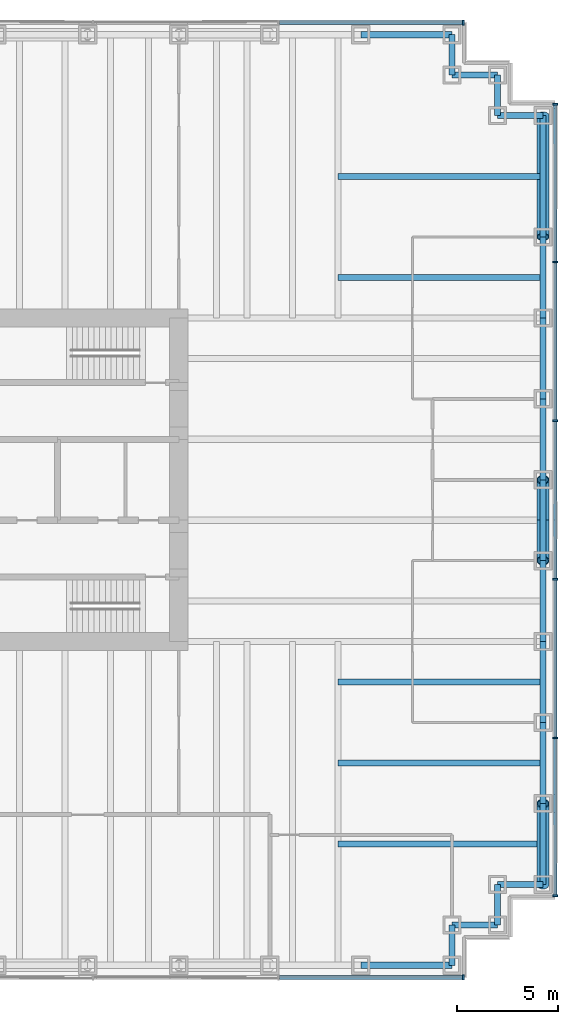
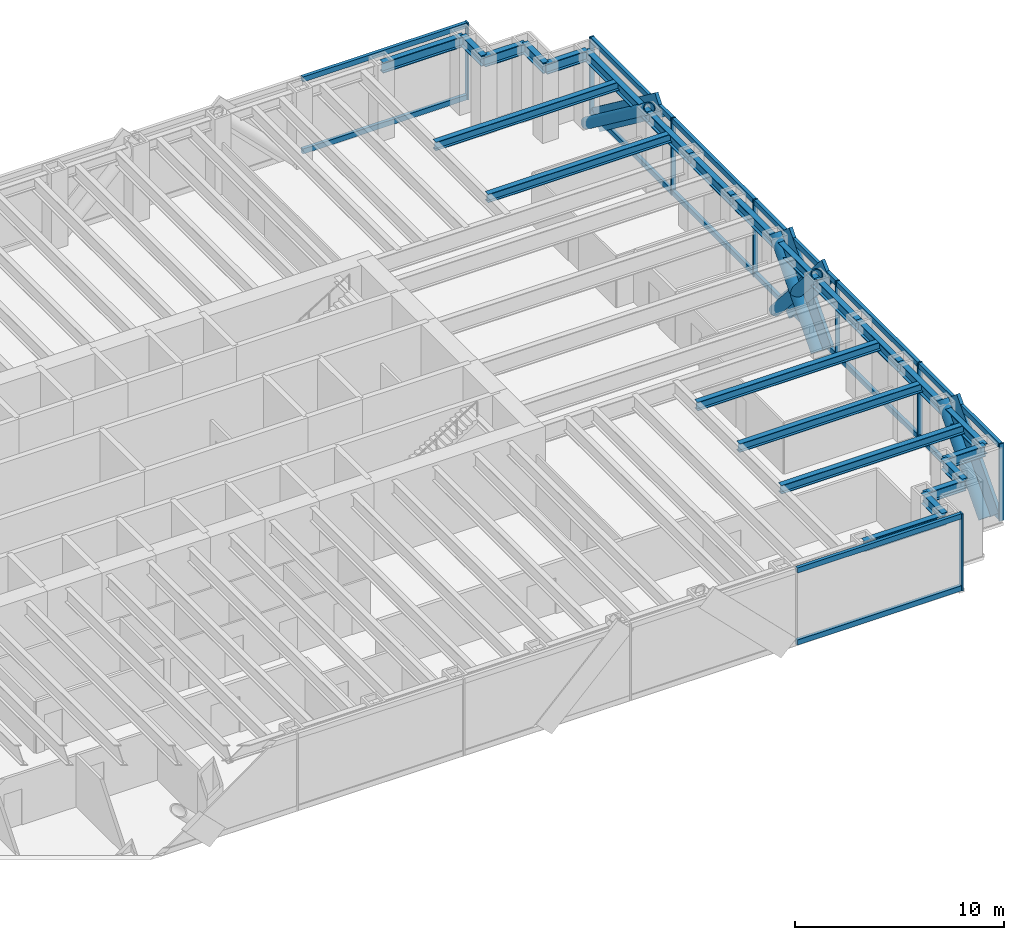
# One storey, part 7 of 13: 30 members, 24 beams, 3 elements without a shape of their own.
"""IFC4 building model written with IfcOpenShell, lengths in metres."""

import ifcopenshell
import ifcopenshell.guid

model = None  # the IFC model being written
_history = None  # IfcOwnerHistory: only IFC2X3 demands one
_inside = {}  # id of a spatial element -> (the spatial element, [elements in it])
_under = {}  # id of a project, library or spatial element -> (it, [spatial elements below it])
_declared = {}  # id of a project -> (the project, [libraries it declares])
_typed = {}  # id of a type object -> (the type object, [elements of that type])
_made_of = {}  # id of a material, layer set ... -> (it, [elements and type objects made of it])


def new_model(schema):
    """Start an empty IFC model of exactly this schema.

    Asked for "IFC4X3", IfcOpenShell would pick the latest addendum, in which some entities
    have other attributes; the version numbers below select the first issue.
    IFC2X3 requires an IfcOwnerHistory on every rooted entity: one is made here for all.
    """
    global model, _history
    if schema == "IFC4X3":
        model = ifcopenshell.file(schema_version=(4, 3, 0, 0))
    else:
        model = ifcopenshell.file(schema=schema)
    _inside.clear()
    _under.clear()
    _declared.clear()
    _typed.clear()
    _made_of.clear()
    _history = None
    if model.schema == "IFC2X3":
        org = make("IfcOrganization", Name="unknown")
        user = make(
            "IfcPersonAndOrganization",
            ThePerson=make("IfcPerson", FamilyName="unknown"),
            TheOrganization=org,
        )
        app = make(
            "IfcApplication",
            ApplicationDeveloper=org,
            Version="unknown",
            ApplicationFullName="unknown",
            ApplicationIdentifier="unknown",
        )
        _history = make(
            "IfcOwnerHistory",
            OwningUser=user,
            OwningApplication=app,
            ChangeAction="ADDED",
            CreationDate=0,
        )
    return model


def make(cls, **values):
    """One entity of the class cls with the attributes given. An attribute that is None is left unset."""
    return model.create_entity(
        cls, **{name: value for name, value in values.items() if value is not None}
    )


def rooted(cls, **values):
    """An entity with a GlobalId (a new one), such as an element, a storey or a relation."""
    return make(cls, GlobalId=ifcopenshell.guid.new(), OwnerHistory=_history, **values)


def si_unit(unit_type, name, prefix=None):
    """IfcSIUnit, for example si_unit("LENGTHUNIT", "METRE", prefix="MILLI")."""
    return make("IfcSIUnit", UnitType=unit_type, Prefix=prefix, Name=name)


def assignment(units):
    """IfcUnitAssignment: the units of a project."""
    return None if units is None else make("IfcUnitAssignment", Units=units)


def point(xyz):
    """IfcCartesianPoint."""
    return None if xyz is None else make("IfcCartesianPoint", Coordinates=xyz)


def direction(xyz):
    """IfcDirection."""
    return None if xyz is None else make("IfcDirection", DirectionRatios=xyz)


def frame(location, z_axis=None, x_axis=None):
    """IfcAxis2Placement3D, a coordinate frame: its origin and axes. An axis left out is left unset."""
    return make(
        "IfcAxis2Placement3D",
        Location=point(location),
        Axis=direction(z_axis),
        RefDirection=direction(x_axis),
    )


def frame_2d(location, x_axis=None):
    """IfcAxis2Placement2D, a coordinate frame in the plane: its origin and x axis."""
    return make(
        "IfcAxis2Placement2D", Location=point(location), RefDirection=direction(x_axis)
    )


def origin():
    """The frame at (0, 0, 0) with its axes left unset."""
    return frame((0.0, 0.0, 0.0))


def origin_2d():
    """The frame at (0, 0) in the plane with its x axis left unset."""
    return frame_2d((0.0, 0.0))


def place(relative_to, where):
    """IfcLocalPlacement: puts the frame where relative to a parent placement (None: the world)."""
    return make(
        "IfcLocalPlacement", PlacementRelTo=relative_to, RelativePlacement=where
    )


def context(
    kind, dimensions, precision=None, world=None, true_north=None, identifier=None
):
    """IfcGeometricRepresentationContext, for example the 3D "Model" context."""
    return make(
        "IfcGeometricRepresentationContext",
        ContextIdentifier=identifier,
        ContextType=kind,
        CoordinateSpaceDimension=dimensions,
        Precision=precision,
        WorldCoordinateSystem=world,
        TrueNorth=true_north,
    )


def subcontext(parent, identifier, kind, view, scale=None):
    """IfcGeometricRepresentationSubContext, for example "Body" below "Model"."""
    return make(
        "IfcGeometricRepresentationSubContext",
        ContextIdentifier=identifier,
        ContextType=kind,
        ParentContext=parent,
        TargetScale=scale,
        TargetView=view,
    )


def project(units=None, contexts=None):
    """IfcProject with its units and contexts."""
    return rooted(
        "IfcProject",
        Name="project",
        RepresentationContexts=contexts,
        UnitsInContext=assignment(units),
    )


def spatial(cls, under=None, at=None, **own):
    """A site, building, storey or space (cls), placed at a placement, below another one or the project."""
    s = rooted(cls, ObjectPlacement=at, **own)
    if under is not None:
        _under.setdefault(under.id(), (under, []))[1].append(s)
    return s


def profile(cls, at=None, kind="AREA", **sizes):
    """A parametric profile (cls). Its sizes go by their IFC names, for example OverallWidth=200.0."""
    return make(cls, ProfileType=kind, Position=at, **sizes)


def rectangle(**sizes):
    """IfcRectangleProfileDef."""
    return profile("IfcRectangleProfileDef", **sizes)


def hollow_circle(**sizes):
    """IfcCircleHollowProfileDef."""
    return profile("IfcCircleHollowProfileDef", **sizes)


def i_section(**sizes):
    """IfcIShapeProfileDef."""
    return profile("IfcIShapeProfileDef", **sizes)


def extrude(swept, where, along, depth):
    """IfcExtrudedAreaSolid: the profile swept, set in the frame where, extruded along a direction by depth."""
    return make(
        "IfcExtrudedAreaSolid",
        SweptArea=swept,
        Position=where,
        ExtrudedDirection=direction(along),
        Depth=depth,
    )


def shape(context_of_items, identifier, shape_type, items):
    """IfcShapeRepresentation: the items that make up one representation, for example the "Body"."""
    return make(
        "IfcShapeRepresentation",
        ContextOfItems=context_of_items,
        RepresentationIdentifier=identifier,
        RepresentationType=shape_type,
        Items=items,
    )


def material(Name=None, Category=None):
    """IfcMaterial."""
    return make("IfcMaterial", Name=Name, Category=Category)


def material_profile(
    of_material, cross_section, Name=None, Category=None, Priority=None
):
    """IfcMaterialProfile: a cross section and its material."""
    return make(
        "IfcMaterialProfile",
        Name=Name,
        Material=of_material,
        Profile=cross_section,
        Priority=Priority,
        Category=Category,
    )


def profile_set(profiles, Name=None, composite=None):
    """IfcMaterialProfileSet."""
    return make(
        "IfcMaterialProfileSet",
        Name=Name,
        MaterialProfiles=profiles,
        CompositeProfile=composite,
    )


def made_of(thing, what):
    """Note that an element or type object is made of a material, layer set ...; save() writes the relation."""
    if what is not None:
        _made_of.setdefault(what.id(), (what, []))[1].append(thing)
    return thing


def type_object(cls, material=None, **own):
    """A type object (cls), such as IfcWallType, which elements share."""
    return made_of(rooted(cls, **own), material)


def element(
    cls,
    number,
    at=None,
    inside=None,
    cuts=None,
    type_object=None,
    material=None,
    context=None,
    identifier="Body",
    shape_type=None,
    held_by="IfcProductDefinitionShape",
    body=None,
    shapes=None,
    **own,
):
    """One element of the class cls, such as IfcWall. Its Tag is "e" and its number.

    at: its placement. inside: the storey or other place that contains it. cuts: it is an
    opening in that element (IfcRelVoidsElement). A single representation is given by context,
    identifier, shape_type and body (its items); several are given by shapes. held_by: the class
    of the entity that holds the representations. save() writes the other relations.
    """
    e = rooted(cls, Tag="e%d" % number, ObjectPlacement=at, **own)
    if body is not None:
        shapes = [shape(context, identifier, shape_type, body)]
    if shapes is not None:
        e.Representation = make(held_by, Representations=shapes)
    if inside is not None:
        _inside.setdefault(inside.id(), (inside, []))[1].append(e)
    if cuts is not None:
        rooted(
            "IfcRelVoidsElement", RelatingBuildingElement=cuts, RelatedOpeningElement=e
        )
    if type_object is not None:
        _typed.setdefault(type_object.id(), (type_object, []))[1].append(e)
    return made_of(e, material)


def aggregate(whole, parts):
    """IfcRelAggregates: a whole, such as a stair, and the parts it consists of."""
    return rooted("IfcRelAggregates", RelatingObject=whole, RelatedObjects=parts)


def save(model, path):
    """Write the relations noted so far, then the file.

    IfcRelAggregates (storeys below a building ...), IfcRelContainedInSpatialStructure (elements
    in a storey), IfcRelDefinesByType, IfcRelAssociatesMaterial and IfcRelDeclares: one each for
    every whole, place, type object, material and project.
    """
    for whole, parts in _under.values():
        aggregate(whole, parts)
    for where, things in _inside.values():
        rooted(
            "IfcRelContainedInSpatialStructure",
            RelatedElements=things,
            RelatingStructure=where,
        )
    for kind, things in _typed.values():
        rooted("IfcRelDefinesByType", RelatedObjects=things, RelatingType=kind)
    for what, things in _made_of.values():
        rooted("IfcRelAssociatesMaterial", RelatedObjects=things, RelatingMaterial=what)
    for by, libraries in _declared.values():
        rooted("IfcRelDeclares", RelatingContext=by, RelatedDefinitions=libraries)
    model.write(path)


model = new_model("IFC4")

# Units and contexts
model_context = context("Model", 3, precision=1e-05, world=origin(), true_north=direction((0.0, 1.0)))
body_context = subcontext(model_context, "Body", "Model", "MODEL_VIEW")
ifc_project = project(units=[si_unit("LENGTHUNIT", "METRE"), si_unit("AREAUNIT", "SQUARE_METRE"), si_unit("VOLUMEUNIT", "CUBIC_METRE"), si_unit("PLANEANGLEUNIT", "RADIAN"), si_unit("MASSUNIT", "GRAM", prefix="KILO")], contexts=[model_context])

# Site, building, storey
site_placement = place(None, origin())
site = spatial("IfcSite", under=ifc_project, at=site_placement, CompositionType="ELEMENT")
building_placement = place(site_placement, origin())
building = spatial("IfcBuilding", under=site, at=building_placement, Name="Rheinbord Bourse Tower", CompositionType="ELEMENT")
storey_placement = place(building_placement, frame((0.0, 0.0, 41.0)))
storey = spatial("IfcBuildingStorey", under=building, at=storey_placement, Name="L08", CompositionType="ELEMENT", Elevation=41.0)

# Curtain wall, members
ifc_material_1 = material(Name="Dark glass and black aluminium", Category="aluminium")
curtain_wall_type = type_object("IfcCurtainWallType", Name="CW1 DARK GLASS CURTAIN WALL", PredefinedType="USERDEFINED", material=ifc_material_1)
curtain_wall_1_placement = place(storey_placement, origin())
curtain_wall_1 = element("IfcCurtainWall", 1, at=curtain_wall_1_placement, inside=storey, type_object=curtain_wall_type, Name="Curtain wall CW1 E L08", ObjectType="UNITISED CURTAIN WALL", PredefinedType="USERDEFINED")
ifc_material_2 = material(Name="Black anodised aluminium", Category="aluminium")
ifc_material_profile_1 = material_profile(ifc_material_2, rectangle(XDim=0.179931640625, YDim=1.2099609375, at=origin_2d()), Name="CW1 DIAGONAL MULLION 1210x180")
ifc_profile_set_1 = profile_set([ifc_material_profile_1], Name="Black anodised aluminium")
member_type_1 = type_object("IfcMemberType", Name="CW1 BLACK DIAGONAL MULLION", PredefinedType="USERDEFINED", material=ifc_profile_set_1)
member_1_placement = place(storey_placement, frame((72.60009765625, 42.0, 0.0), z_axis=(0.0, -0.8, 0.6), x_axis=(1.0, 0.0, 0.0)))
member_1 = element("IfcMember", 2, at=member_1_placement, type_object=member_type_1, Name="CW1 diagonal mullion a", ObjectType="DIAGONAL MULLION", PredefinedType="USERDEFINED", context=body_context, shape_type="SweptSolid", body=[
    extrude(rectangle(XDim=0.179931640625, YDim=1.2099609375, at=origin_2d()), origin(), (0.0, 0.0, 1.0), 7.5),
])
member_2_placement = place(storey_placement, frame((72.60009765625, 4.0, 0.0), z_axis=(0.0, 0.66436383883, 0.747409318684), x_axis=(-1.0, 0.0, 0.0)))
member_2 = element("IfcMember", 3, at=member_2_placement, type_object=member_type_1, Name="CW1 diagonal mullion b", ObjectType="DIAGONAL MULLION", PredefinedType="USERDEFINED", context=body_context, shape_type="SweptSolid", body=[
    extrude(rectangle(XDim=0.179931640625, YDim=1.2099609375, at=origin_2d()), origin(), (0.0, 0.0, 1.0), 6.020751953125),
])
member_3_placement = place(storey_placement, frame((72.60009765625, 24.0, 0.0), z_axis=(0.0, -0.66436383883, 0.747409318684), x_axis=(1.0, 0.0, 0.0)))
member_3 = element("IfcMember", 4, at=member_3_placement, type_object=member_type_1, Name="CW1 diagonal mullion c", ObjectType="DIAGONAL MULLION", PredefinedType="USERDEFINED", context=body_context, shape_type="SweptSolid", body=[
    extrude(rectangle(XDim=0.179931640625, YDim=1.2099609375, at=origin_2d()), origin(), (0.0, 0.0, 1.0), 6.020751953125),
])
member_4_placement = place(storey_placement, frame((72.60009765625, 20.0, 0.0), z_axis=(0.0, 0.66436383883, 0.747409318684), x_axis=(-1.0, 0.0, 0.0)))
member_4 = element("IfcMember", 5, at=member_4_placement, type_object=member_type_1, Name="CW1 diagonal mullion d", ObjectType="DIAGONAL MULLION", PredefinedType="USERDEFINED", context=body_context, shape_type="SweptSolid", body=[
    extrude(rectangle(XDim=0.179931640625, YDim=1.2099609375, at=origin_2d()), origin(), (0.0, 0.0, 1.0), 6.020751953125),
])

# Curtain wall, member
curtain_wall_2_placement = place(storey_placement, origin())
curtain_wall_2 = element("IfcCurtainWall", 6, at=curtain_wall_2_placement, inside=storey, type_object=curtain_wall_type, Name="Curtain wall CW1 S L08", ObjectType="UNITISED CURTAIN WALL", PredefinedType="USERDEFINED")
ifc_material_3 = material(Name="Black anodised aluminium", Category="aluminium")
ifc_material_profile_2 = material_profile(ifc_material_3, rectangle(XDim=0.25, YDim=0.080078125, at=origin_2d()), Name="CW1 MULLION 80x250")
ifc_profile_set_2 = profile_set([ifc_material_profile_2], Name="Black anodised aluminium")
member_type_2 = type_object("IfcMemberType", Name="CW1 BLACK MULLION", PredefinedType="MULLION", material=ifc_profile_set_2)
member_5_placement = place(storey_placement, frame((68.06005859375, -0.60009765625, 0.0), z_axis=(0.0, 0.0, 1.0), x_axis=(0.0, 1.0, 0.0)))
member_5 = element("IfcMember", 7, at=member_5_placement, type_object=member_type_2, Name="CW1 mullion 8", PredefinedType="MULLION", context=body_context, shape_type="SweptSolid", body=[
    extrude(rectangle(XDim=0.25, YDim=0.080078125, at=origin_2d()), origin(), (0.0, 0.0, 1.0), 4.5),
])

# Member
member_6_placement = place(storey_placement, frame((72.60009765625, 3.43994140625, 0.0), z_axis=(0.0, 0.0, 1.0), x_axis=(-1.0, 0.0, 0.0)))
member_6 = element("IfcMember", 8, at=member_6_placement, type_object=member_type_2, Name="CW1 mullion 1", PredefinedType="MULLION", context=body_context, shape_type="SweptSolid", body=[
    extrude(rectangle(XDim=0.25, YDim=0.080078125, at=origin_2d()), origin(), (0.0, 0.0, 1.0), 4.5),
])

member_7_placement = place(storey_placement, frame((72.60009765625, 11.239990234375, 0.0), z_axis=(0.0, 0.0, 1.0), x_axis=(-1.0, 0.0, 0.0)))
member_7 = element("IfcMember", 9, at=member_7_placement, type_object=member_type_2, Name="CW1 mullion 2", PredefinedType="MULLION", context=body_context, shape_type="SweptSolid", body=[
    extrude(rectangle(XDim=0.25, YDim=0.080078125, at=origin_2d()), origin(), (0.0, 0.0, 1.0), 4.5),
])

member_8_placement = place(storey_placement, frame((72.60009765625, 19.080078125, 0.0), z_axis=(0.0, 0.0, 1.0), x_axis=(-1.0, 0.0, 0.0)))
member_8 = element("IfcMember", 10, at=member_8_placement, type_object=member_type_2, Name="CW1 mullion 3", PredefinedType="MULLION", context=body_context, shape_type="SweptSolid", body=[
    extrude(rectangle(XDim=0.25, YDim=0.080078125, at=origin_2d()), origin(), (0.0, 0.0, 1.0), 4.5),
])

member_9_placement = place(storey_placement, frame((72.60009765625, 26.919921875, 0.0), z_axis=(0.0, 0.0, 1.0), x_axis=(-1.0, 0.0, 0.0)))
member_9 = element("IfcMember", 11, at=member_9_placement, type_object=member_type_2, Name="CW1 mullion 4", PredefinedType="MULLION", context=body_context, shape_type="SweptSolid", body=[
    extrude(rectangle(XDim=0.25, YDim=0.080078125, at=origin_2d()), origin(), (0.0, 0.0, 1.0), 4.5),
])

member_10_placement = place(storey_placement, frame((72.60009765625, 34.760009765625, 0.0), z_axis=(0.0, 0.0, 1.0), x_axis=(-1.0, 0.0, 0.0)))
member_10 = element("IfcMember", 12, at=member_10_placement, type_object=member_type_2, Name="CW1 mullion 5", PredefinedType="MULLION", context=body_context, shape_type="SweptSolid", body=[
    extrude(rectangle(XDim=0.25, YDim=0.080078125, at=origin_2d()), origin(), (0.0, 0.0, 1.0), 4.5),
])

member_11_placement = place(storey_placement, frame((72.60009765625, 42.56005859375, 0.0), z_axis=(0.0, 0.0, 1.0), x_axis=(-1.0, 0.0, 0.0)))
member_11 = element("IfcMember", 13, at=member_11_placement, type_object=member_type_2, Name="CW1 mullion 6", PredefinedType="MULLION", context=body_context, shape_type="SweptSolid", body=[
    extrude(rectangle(XDim=0.25, YDim=0.080078125, at=origin_2d()), origin(), (0.0, 0.0, 1.0), 4.5),
])

# Curtain wall, member
curtain_wall_3_placement = place(storey_placement, origin())
curtain_wall_3 = element("IfcCurtainWall", 14, at=curtain_wall_3_placement, inside=storey, type_object=curtain_wall_type, Name="Curtain wall CW1 N L08", ObjectType="UNITISED CURTAIN WALL", PredefinedType="USERDEFINED")
member_12_placement = place(storey_placement, frame((68.06005859375, 46.60009765625, 0.0), z_axis=(0.0, 0.0, 1.0), x_axis=(0.0, -1.0, 0.0)))
member_12 = element("IfcMember", 15, at=member_12_placement, type_object=member_type_2, Name="CW1 mullion 1", PredefinedType="MULLION", context=body_context, shape_type="SweptSolid", body=[
    extrude(rectangle(XDim=0.25, YDim=0.080078125, at=origin_2d()), origin(), (0.0, 0.0, 1.0), 4.5),
])

# Member
ifc_material_4 = material(Name="Black anodised aluminium", Category="aluminium")
ifc_material_profile_3 = material_profile(ifc_material_4, rectangle(XDim=0.179931640625, YDim=0.300048828125, at=origin_2d()), Name="CW1 TRANSOM 300x180")
ifc_profile_set_3 = profile_set([ifc_material_profile_3], Name="Black anodised aluminium")
member_type_3 = type_object("IfcMemberType", Name="CW1 BLACK TRANSOM", PredefinedType="USERDEFINED", material=ifc_profile_set_3)
member_13_placement = place(storey_placement, frame((58.968505859375, -0.60009765625, 0.14990234375), z_axis=(1.0, 0.0, 0.0), x_axis=(0.0, 1.0, 0.0)))
member_13 = element("IfcMember", 16, at=member_13_placement, type_object=member_type_3, Name="CW1 transom 7.1", ObjectType="TRANSOM", PredefinedType="USERDEFINED", context=body_context, shape_type="SweptSolid", body=[
    extrude(rectangle(XDim=0.179931640625, YDim=0.300048828125, at=origin_2d()), origin(), (0.0, 0.0, 1.0), 9.051513671875),
])

member_14_placement = place(storey_placement, frame((58.968505859375, -0.60009765625, 4.35009765625), z_axis=(1.0, 0.0, 0.0), x_axis=(0.0, 1.0, 0.0)))
member_14 = element("IfcMember", 17, at=member_14_placement, type_object=member_type_3, Name="CW1 transom 7.2", ObjectType="TRANSOM", PredefinedType="USERDEFINED", context=body_context, shape_type="SweptSolid", body=[
    extrude(rectangle(XDim=0.179931640625, YDim=0.300048828125, at=origin_2d()), origin(), (0.0, 0.0, 1.0), 9.051513671875),
])

aggregate(curtain_wall_2, [member_5, member_13, member_14])

member_15_placement = place(storey_placement, frame((72.60009765625, 3.47998046875, 0.14990234375), z_axis=(0.0, 1.0, 0.0), x_axis=(-1.0, 0.0, 0.0)))
member_15 = element("IfcMember", 18, at=member_15_placement, type_object=member_type_3, Name="CW1 transom 1.1", ObjectType="TRANSOM", PredefinedType="USERDEFINED", context=body_context, shape_type="SweptSolid", body=[
    extrude(rectangle(XDim=0.179931640625, YDim=0.300048828125, at=origin_2d()), origin(), (0.0, 0.0, 1.0), 7.719970703125),
])

member_16_placement = place(storey_placement, frame((72.60009765625, 3.47998046875, 4.35009765625), z_axis=(0.0, 1.0, 0.0), x_axis=(-1.0, 0.0, 0.0)))
member_16 = element("IfcMember", 19, at=member_16_placement, type_object=member_type_3, Name="CW1 transom 1.2", ObjectType="TRANSOM", PredefinedType="USERDEFINED", context=body_context, shape_type="SweptSolid", body=[
    extrude(rectangle(XDim=0.179931640625, YDim=0.300048828125, at=origin_2d()), origin(), (0.0, 0.0, 1.0), 7.719970703125),
])

member_17_placement = place(storey_placement, frame((72.60009765625, 11.280029296875, 0.14990234375), z_axis=(0.0, 1.0, 0.0), x_axis=(-1.0, 0.0, 0.0)))
member_17 = element("IfcMember", 20, at=member_17_placement, type_object=member_type_3, Name="CW1 transom 2.1", ObjectType="TRANSOM", PredefinedType="USERDEFINED", context=body_context, shape_type="SweptSolid", body=[
    extrude(rectangle(XDim=0.179931640625, YDim=0.300048828125, at=origin_2d()), origin(), (0.0, 0.0, 1.0), 7.760009765625),
])

member_18_placement = place(storey_placement, frame((72.60009765625, 11.280029296875, 4.35009765625), z_axis=(0.0, 1.0, 0.0), x_axis=(-1.0, 0.0, 0.0)))
member_18 = element("IfcMember", 21, at=member_18_placement, type_object=member_type_3, Name="CW1 transom 2.2", ObjectType="TRANSOM", PredefinedType="USERDEFINED", context=body_context, shape_type="SweptSolid", body=[
    extrude(rectangle(XDim=0.179931640625, YDim=0.300048828125, at=origin_2d()), origin(), (0.0, 0.0, 1.0), 7.760009765625),
])

member_19_placement = place(storey_placement, frame((72.60009765625, 19.1201171875, 0.14990234375), z_axis=(0.0, 1.0, 0.0), x_axis=(-1.0, 0.0, 0.0)))
member_19 = element("IfcMember", 22, at=member_19_placement, type_object=member_type_3, Name="CW1 transom 3.1", ObjectType="TRANSOM", PredefinedType="USERDEFINED", context=body_context, shape_type="SweptSolid", body=[
    extrude(rectangle(XDim=0.179931640625, YDim=0.300048828125, at=origin_2d()), origin(), (0.0, 0.0, 1.0), 7.759765625),
])

member_20_placement = place(storey_placement, frame((72.60009765625, 19.1201171875, 4.35009765625), z_axis=(0.0, 1.0, 0.0), x_axis=(-1.0, 0.0, 0.0)))
member_20 = element("IfcMember", 23, at=member_20_placement, type_object=member_type_3, Name="CW1 transom 3.2", ObjectType="TRANSOM", PredefinedType="USERDEFINED", context=body_context, shape_type="SweptSolid", body=[
    extrude(rectangle(XDim=0.179931640625, YDim=0.300048828125, at=origin_2d()), origin(), (0.0, 0.0, 1.0), 7.759765625),
])

member_21_placement = place(storey_placement, frame((72.60009765625, 26.9599609375, 0.14990234375), z_axis=(0.0, 1.0, 0.0), x_axis=(-1.0, 0.0, 0.0)))
member_21 = element("IfcMember", 24, at=member_21_placement, type_object=member_type_3, Name="CW1 transom 4.1", ObjectType="TRANSOM", PredefinedType="USERDEFINED", context=body_context, shape_type="SweptSolid", body=[
    extrude(rectangle(XDim=0.179931640625, YDim=0.300048828125, at=origin_2d()), origin(), (0.0, 0.0, 1.0), 7.760009765625),
])

member_22_placement = place(storey_placement, frame((72.60009765625, 26.9599609375, 4.35009765625), z_axis=(0.0, 1.0, 0.0), x_axis=(-1.0, 0.0, 0.0)))
member_22 = element("IfcMember", 25, at=member_22_placement, type_object=member_type_3, Name="CW1 transom 4.2", ObjectType="TRANSOM", PredefinedType="USERDEFINED", context=body_context, shape_type="SweptSolid", body=[
    extrude(rectangle(XDim=0.179931640625, YDim=0.300048828125, at=origin_2d()), origin(), (0.0, 0.0, 1.0), 7.760009765625),
])

member_23_placement = place(storey_placement, frame((72.60009765625, 34.800048828125, 0.14990234375), z_axis=(0.0, 1.0, 0.0), x_axis=(-1.0, 0.0, 0.0)))
member_23 = element("IfcMember", 26, at=member_23_placement, type_object=member_type_3, Name="CW1 transom 5.1", ObjectType="TRANSOM", PredefinedType="USERDEFINED", context=body_context, shape_type="SweptSolid", body=[
    extrude(rectangle(XDim=0.179931640625, YDim=0.300048828125, at=origin_2d()), origin(), (0.0, 0.0, 1.0), 7.719970703125),
])

member_24_placement = place(storey_placement, frame((72.60009765625, 34.800048828125, 4.35009765625), z_axis=(0.0, 1.0, 0.0), x_axis=(-1.0, 0.0, 0.0)))
member_24 = element("IfcMember", 27, at=member_24_placement, type_object=member_type_3, Name="CW1 transom 5.2", ObjectType="TRANSOM", PredefinedType="USERDEFINED", context=body_context, shape_type="SweptSolid", body=[
    extrude(rectangle(XDim=0.179931640625, YDim=0.300048828125, at=origin_2d()), origin(), (0.0, 0.0, 1.0), 7.719970703125),
])

aggregate(curtain_wall_1, [member_6, member_7, member_8, member_9, member_10, member_11, member_15, member_16, member_17, member_18, member_19, member_20, member_21, member_22, member_23, member_24, member_1, member_2, member_3, member_4])

member_25_placement = place(storey_placement, frame((68.02001953125, 46.60009765625, 0.14990234375), z_axis=(-1.0, 0.0, 0.0), x_axis=(0.0, -1.0, 0.0)))
member_25 = element("IfcMember", 28, at=member_25_placement, type_object=member_type_3, Name="CW1 transom 1.1", ObjectType="TRANSOM", PredefinedType="USERDEFINED", context=body_context, shape_type="SweptSolid", body=[
    extrude(rectangle(XDim=0.179931640625, YDim=0.300048828125, at=origin_2d()), origin(), (0.0, 0.0, 1.0), 9.051513671875),
])

member_26_placement = place(storey_placement, frame((68.02001953125, 46.60009765625, 4.35009765625), z_axis=(-1.0, 0.0, 0.0), x_axis=(0.0, -1.0, 0.0)))
member_26 = element("IfcMember", 29, at=member_26_placement, type_object=member_type_3, Name="CW1 transom 1.2", ObjectType="TRANSOM", PredefinedType="USERDEFINED", context=body_context, shape_type="SweptSolid", body=[
    extrude(rectangle(XDim=0.179931640625, YDim=0.300048828125, at=origin_2d()), origin(), (0.0, 0.0, 1.0), 9.051513671875),
])

aggregate(curtain_wall_3, [member_12, member_25, member_26])

# Members
ifc_material_5 = material(Name="Steel S460", Category="steel")
ifc_material_profile_4 = material_profile(ifc_material_5, hollow_circle(Radius=0.304931640625, WallThickness=0.050048828125, at=origin_2d()), Name="CHS 610x50")
ifc_profile_set_4 = profile_set([ifc_material_profile_4], Name="Steel S460")
member_type_4 = type_object("IfcMemberType", Name="MEGABRACE CHS 610x50", PredefinedType="BRACE", material=ifc_profile_set_4)
member_27_placement = place(storey_placement, frame((72.0, 42.0, 0.0), z_axis=(0.0, -0.8, 0.6), x_axis=(1.0, 0.0, 0.0)))
element("IfcMember", 30, at=member_27_placement, inside=storey, type_object=member_type_4, Name="Megabrace E face line a L08", PredefinedType="BRACE", context=body_context, shape_type="SweptSolid", body=[
    extrude(hollow_circle(Radius=0.304931640625, WallThickness=0.050048828125, at=origin_2d()), origin(), (0.0, 0.0, 1.0), 7.5),
])
for number, where, z_axis, x_axis, name in (
    (31, (72.0, 4.0, 0.0), (0.0, 0.66436383883, 0.747409318684), (-1.0, 0.0, 0.0), "Megabrace E face line b L08"),
    (32, (72.0, 24.0, 0.0), (0.0, -0.66436383883, 0.747409318684), (1.0, 0.0, 0.0), "Megabrace E face line c L08"),
    (33, (72.0, 20.0, 0.0), (0.0, 0.66436383883, 0.747409318684), (-1.0, 0.0, 0.0), "Megabrace E face line d L08"),
):
    element("IfcMember", number, at=place(storey_placement, frame(where, z_axis=z_axis, x_axis=x_axis)), inside=storey, type_object=member_type_4, Name=name, PredefinedType="BRACE", context=body_context, shape_type="SweptSolid", body=[
        extrude(hollow_circle(Radius=0.304931640625, WallThickness=0.050048828125, at=origin_2d()), origin(), (0.0, 0.0, 1.0), 6.020751953125),
    ])

# Beams
ifc_material_6 = material(Name="Steel S460", Category="steel")
ifc_material_profile_5 = material_profile(ifc_material_6, i_section(OverallWidth=0.304931640625, OverallDepth=0.6201171875, WebThickness=0.02099609375, FlangeThickness=0.0400390625, at=origin_2d()), Name="HEM 600")
ifc_profile_set_5 = profile_set([ifc_material_profile_5], Name="Steel S460")
beam_type_1 = type_object("IfcBeamType", Name="SPANDREL HEM 600", PredefinedType="SPANDREL", material=ifc_profile_set_5)
beam_1_placement = place(storey_placement, frame((63.0, 0.0, 4.010009765625), z_axis=(1.0, 0.0, 0.0), x_axis=(0.0, 1.0, 0.0)))
element("IfcBeam", 34, at=beam_1_placement, inside=storey, type_object=beam_type_1, Name="Spandrel S-63-SE-E under L09", PredefinedType="SPANDREL", context=body_context, shape_type="SweptSolid", body=[
    extrude(i_section(OverallWidth=0.304931640625, OverallDepth=0.6201171875, WebThickness=0.02099609375, FlangeThickness=0.0400390625, at=origin_2d()), origin(), (0.0, 0.0, 1.0), 4.5),
])
beam_2_placement = place(storey_placement, frame((67.5, 0.0, 4.010009765625), z_axis=(0.0, 1.0, 0.0), x_axis=(-1.0, 0.0, 0.0)))
element("IfcBeam", 35, at=beam_2_placement, inside=storey, type_object=beam_type_1, Name="Spandrel SE-E-SE-D under L09", PredefinedType="SPANDREL", context=body_context, shape_type="SweptSolid", body=[
    extrude(i_section(OverallWidth=0.304931640625, OverallDepth=0.6201171875, WebThickness=0.02099609375, FlangeThickness=0.0400390625, at=origin_2d()), origin(), (0.0, 0.0, 1.0), 2.0),
])
beam_3_placement = place(storey_placement, frame((67.5, 2.0, 4.010009765625), z_axis=(1.0, 0.0, 0.0), x_axis=(0.0, 1.0, 0.0)))
element("IfcBeam", 36, at=beam_3_placement, inside=storey, type_object=beam_type_1, Name="Spandrel SE-D-SE-C under L09", PredefinedType="SPANDREL", context=body_context, shape_type="SweptSolid", body=[
    extrude(i_section(OverallWidth=0.304931640625, OverallDepth=0.6201171875, WebThickness=0.02099609375, FlangeThickness=0.0400390625, at=origin_2d()), origin(), (0.0, 0.0, 1.0), 2.25),
])
beam_4_placement = place(storey_placement, frame((69.75, 2.0, 4.010009765625), z_axis=(0.0, 1.0, 0.0), x_axis=(-1.0, 0.0, 0.0)))
element("IfcBeam", 37, at=beam_4_placement, inside=storey, type_object=beam_type_1, Name="Spandrel SE-C-SE-B under L09", PredefinedType="SPANDREL", context=body_context, shape_type="SweptSolid", body=[
    extrude(i_section(OverallWidth=0.304931640625, OverallDepth=0.6201171875, WebThickness=0.02099609375, FlangeThickness=0.0400390625, at=origin_2d()), origin(), (0.0, 0.0, 1.0), 2.0),
])
beam_5_placement = place(storey_placement, frame((69.75, 4.0, 4.010009765625), z_axis=(1.0, 0.0, 0.0), x_axis=(0.0, 1.0, 0.0)))
element("IfcBeam", 38, at=beam_5_placement, inside=storey, type_object=beam_type_1, Name="Spandrel SE-B-SE-A under L09", PredefinedType="SPANDREL", context=body_context, shape_type="SweptSolid", body=[
    extrude(i_section(OverallWidth=0.304931640625, OverallDepth=0.6201171875, WebThickness=0.02099609375, FlangeThickness=0.0400390625, at=origin_2d()), origin(), (0.0, 0.0, 1.0), 2.25),
])
for number, where, z_axis, x_axis, name in (
    (39, (72.0, 4.0, 4.010009765625), (0.0, 1.0, 0.0), (-1.0, 0.0, 0.0), "Spandrel SE-A-E-8 under L09"),
    (40, (72.0, 8.0, 4.010009765625), (0.0, 1.0, 0.0), (-1.0, 0.0, 0.0), "Spandrel E-8-E-12 under L09"),
    (41, (72.0, 12.0, 4.010009765625), (0.0, 1.0, 0.0), (-1.0, 0.0, 0.0), "Spandrel E-12-E-16 under L09"),
    (42, (72.0, 16.0, 4.010009765625), (0.0, 1.0, 0.0), (-1.0, 0.0, 0.0), "Spandrel E-16-E-20 under L09"),
    (43, (72.0, 20.0, 4.010009765625), (0.0, 1.0, 0.0), (-1.0, 0.0, 0.0), "Spandrel E-20-E-24 under L09"),
    (44, (72.0, 24.0, 4.010009765625), (0.0, 1.0, 0.0), (-1.0, 0.0, 0.0), "Spandrel E-24-E-28 under L09"),
    (45, (72.0, 28.0, 4.010009765625), (0.0, 1.0, 0.0), (-1.0, 0.0, 0.0), "Spandrel E-28-E-32 under L09"),
    (46, (72.0, 32.0, 4.010009765625), (0.0, 1.0, 0.0), (-1.0, 0.0, 0.0), "Spandrel E-32-E-36 under L09"),
):
    element("IfcBeam", number, at=place(storey_placement, frame(where, z_axis=z_axis, x_axis=x_axis)), inside=storey, type_object=beam_type_1, Name=name, PredefinedType="SPANDREL", context=body_context, shape_type="SweptSolid", body=[
        extrude(i_section(OverallWidth=0.304931640625, OverallDepth=0.6201171875, WebThickness=0.02099609375, FlangeThickness=0.0400390625, at=origin_2d()), origin(), (0.0, 0.0, 1.0), 4.0),
    ])
beam_6_placement = place(storey_placement, frame((72.0, 36.0, 4.010009765625), z_axis=(0.0, 1.0, 0.0), x_axis=(-1.0, 0.0, 0.0)))
element("IfcBeam", 47, at=beam_6_placement, inside=storey, type_object=beam_type_1, Name="Spandrel E-36-NE-A under L09", PredefinedType="SPANDREL", context=body_context, shape_type="SweptSolid", body=[
    extrude(i_section(OverallWidth=0.304931640625, OverallDepth=0.6201171875, WebThickness=0.02099609375, FlangeThickness=0.0400390625, at=origin_2d()), origin(), (0.0, 0.0, 1.0), 6.0),
])
beam_7_placement = place(storey_placement, frame((72.0, 42.0, 4.010009765625), z_axis=(-1.0, 0.0, 0.0), x_axis=(0.0, -1.0, 0.0)))
element("IfcBeam", 48, at=beam_7_placement, inside=storey, type_object=beam_type_1, Name="Spandrel NE-A-NE-B under L09", PredefinedType="SPANDREL", context=body_context, shape_type="SweptSolid", body=[
    extrude(i_section(OverallWidth=0.304931640625, OverallDepth=0.6201171875, WebThickness=0.02099609375, FlangeThickness=0.0400390625, at=origin_2d()), origin(), (0.0, 0.0, 1.0), 2.25),
])
beam_8_placement = place(storey_placement, frame((69.75, 42.0, 4.010009765625), z_axis=(0.0, 1.0, 0.0), x_axis=(-1.0, 0.0, 0.0)))
element("IfcBeam", 49, at=beam_8_placement, inside=storey, type_object=beam_type_1, Name="Spandrel NE-B-NE-C under L09", PredefinedType="SPANDREL", context=body_context, shape_type="SweptSolid", body=[
    extrude(i_section(OverallWidth=0.304931640625, OverallDepth=0.6201171875, WebThickness=0.02099609375, FlangeThickness=0.0400390625, at=origin_2d()), origin(), (0.0, 0.0, 1.0), 2.0),
])
beam_9_placement = place(storey_placement, frame((69.75, 44.0, 4.010009765625), z_axis=(-1.0, 0.0, 0.0), x_axis=(0.0, -1.0, 0.0)))
element("IfcBeam", 50, at=beam_9_placement, inside=storey, type_object=beam_type_1, Name="Spandrel NE-C-NE-D under L09", PredefinedType="SPANDREL", context=body_context, shape_type="SweptSolid", body=[
    extrude(i_section(OverallWidth=0.304931640625, OverallDepth=0.6201171875, WebThickness=0.02099609375, FlangeThickness=0.0400390625, at=origin_2d()), origin(), (0.0, 0.0, 1.0), 2.25),
])
beam_10_placement = place(storey_placement, frame((67.5, 44.0, 4.010009765625), z_axis=(0.0, 1.0, 0.0), x_axis=(-1.0, 0.0, 0.0)))
element("IfcBeam", 51, at=beam_10_placement, inside=storey, type_object=beam_type_1, Name="Spandrel NE-D-NE-E under L09", PredefinedType="SPANDREL", context=body_context, shape_type="SweptSolid", body=[
    extrude(i_section(OverallWidth=0.304931640625, OverallDepth=0.6201171875, WebThickness=0.02099609375, FlangeThickness=0.0400390625, at=origin_2d()), origin(), (0.0, 0.0, 1.0), 2.0),
])
beam_11_placement = place(storey_placement, frame((67.5, 46.0, 4.010009765625), z_axis=(-1.0, 0.0, 0.0), x_axis=(0.0, -1.0, 0.0)))
element("IfcBeam", 52, at=beam_11_placement, inside=storey, type_object=beam_type_1, Name="Spandrel NE-E-N-63 under L09", PredefinedType="SPANDREL", context=body_context, shape_type="SweptSolid", body=[
    extrude(i_section(OverallWidth=0.304931640625, OverallDepth=0.6201171875, WebThickness=0.02099609375, FlangeThickness=0.0400390625, at=origin_2d()), origin(), (0.0, 0.0, 1.0), 4.5),
])
ifc_material_7 = material(Name="Steel S460", Category="steel")
ifc_material_profile_6 = material_profile(ifc_material_7, i_section(OverallWidth=0.300048828125, OverallDepth=0.5, WebThickness=0.014404296875, FlangeThickness=0.028076171875, at=origin_2d()), Name="HEB 500")
ifc_profile_set_6 = profile_set([ifc_material_profile_6], Name="Steel S460")
beam_type_2 = type_object("IfcBeamType", Name="TIE BEAM HEB 500", PredefinedType="JOIST", material=ifc_profile_set_6)
for number, where, z_axis, x_axis, name in (
    (53, (61.875, 6.0, 4.070068359375), (1.0, 0.0, 0.0), (0.0, 1.0, 0.0), "Tie east 6 L09"),
    (54, (61.875, 10.0, 4.070068359375), (1.0, 0.0, 0.0), (0.0, 1.0, 0.0), "Tie east 10 L09"),
    (55, (61.875, 14.0, 4.070068359375), (1.0, 0.0, 0.0), (0.0, 1.0, 0.0), "Tie east 14 L09"),
    (56, (61.875, 34.0, 4.070068359375), (1.0, 0.0, 0.0), (0.0, 1.0, 0.0), "Tie east 34 L09"),
    (57, (61.875, 39.0, 4.070068359375), (1.0, 0.0, 0.0), (0.0, 1.0, 0.0), "Tie east 39 L09"),
):
    element("IfcBeam", number, at=place(storey_placement, frame(where, z_axis=z_axis, x_axis=x_axis)), inside=storey, type_object=beam_type_2, Name=name, PredefinedType="JOIST", context=body_context, shape_type="SweptSolid", body=[
        extrude(i_section(OverallWidth=0.300048828125, OverallDepth=0.5, WebThickness=0.014404296875, FlangeThickness=0.028076171875, at=origin_2d()), origin(), (0.0, 0.0, 1.0), 10.125),
    ])

save(model, "model.ifc")
